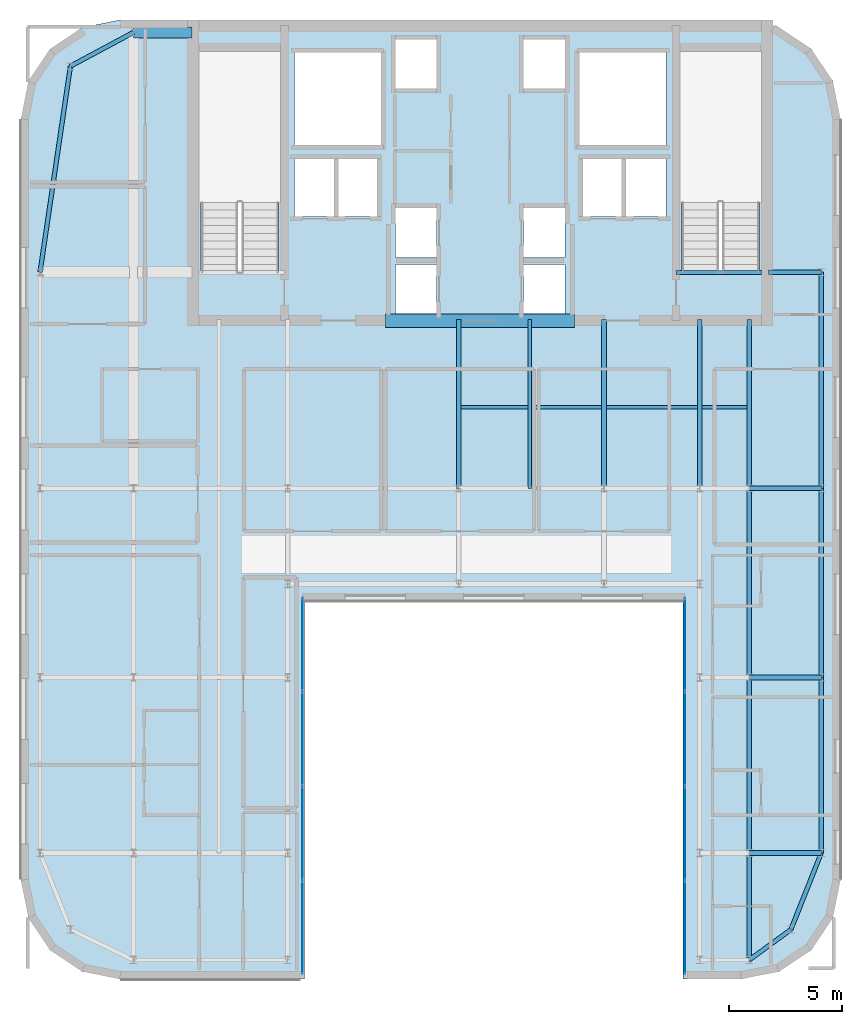
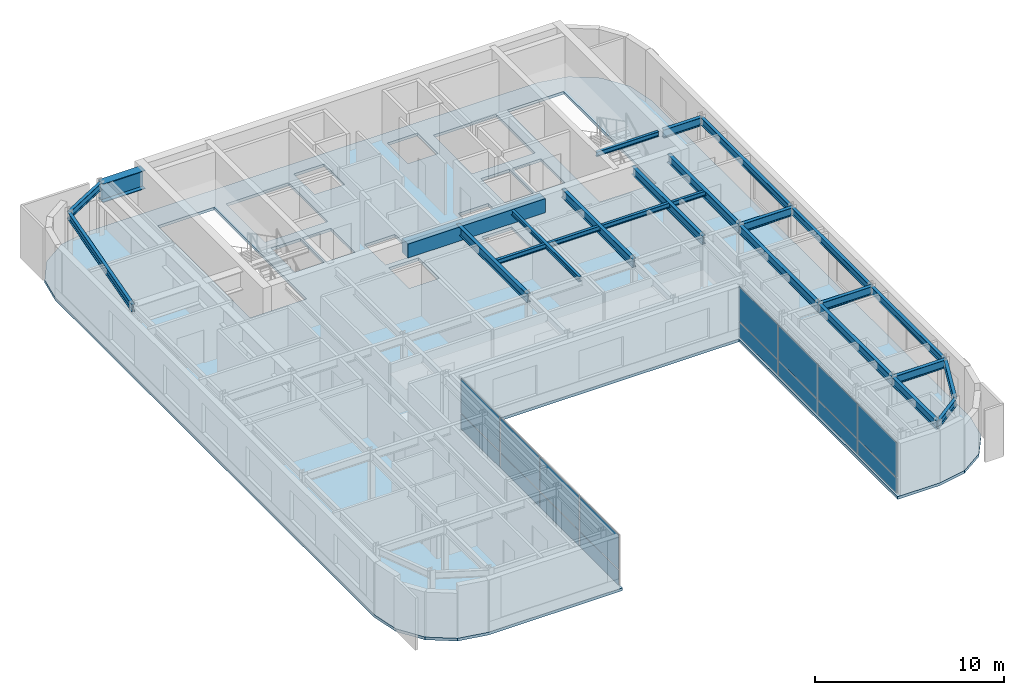
# One storey, part 12 of 21: 23 beams, 16 plates, 1 slab, 2 elements without a shape of their own.
"""IFC4 building model written with IfcOpenShell, lengths in metres."""

from ifc_helpers import new_model, si_unit, direction, frame, origin, origin_2d, place, context, subcontext, project, spatial, polyline, rectangle, i_section, outline, extrude, source, transform, mapped, material, layer, layer_set, material_profile, profile_set, type_object, type_shapes, element, aggregate, save


model = new_model("IFC4")

# Units and contexts
model_context = context("Model", 3, precision=1e-05, world=origin(), true_north=direction((0.0, 1.0)))
body_context = subcontext(model_context, "Body", "Model", "MODEL_VIEW")
ifc_project = project(units=[si_unit("LENGTHUNIT", "METRE"), si_unit("AREAUNIT", "SQUARE_METRE"), si_unit("VOLUMEUNIT", "CUBIC_METRE"), si_unit("PLANEANGLEUNIT", "RADIAN"), si_unit("MASSUNIT", "GRAM", prefix="KILO")], contexts=[model_context])

# Site, building, storey
site_placement = place(None, origin())
site = spatial("IfcSite", under=ifc_project, at=site_placement, CompositionType="ELEMENT")
building_placement = place(site_placement, origin())
building = spatial("IfcBuilding", under=site, at=building_placement, Name="Tolvann Quenvar Hotel", CompositionType="ELEMENT")
storey_placement = place(building_placement, frame((0.0, 0.0, 255.85009765625)))
storey = spatial("IfcBuildingStorey", under=building, at=storey_placement, Name="L68", CompositionType="ELEMENT", Elevation=255.85009765625)

# Beams
ifc_material_1 = material(Name="Concrete N50 (50 MPa)", Category="concrete")
ifc_material_profile_1 = material_profile(ifc_material_1, rectangle(XDim=0.60009765625, YDim=0.89990234375, at=origin_2d()), Name="RC600x900")
ifc_profile_set_1 = profile_set([ifc_material_profile_1], Name="Concrete N50 (50 MPa)")
beam_type_1 = type_object("IfcBeamType", Name="BM_LINT_RC600x900", PredefinedType="LINTEL", material=ifc_profile_set_1)
shared_shape_1 = source(origin(), body_context, "Body", "SweptSolid", [
    extrude(rectangle(XDim=0.60009765625, YDim=0.89990234375, at=origin_2d()), origin(), (0.0, 0.0, 1.0), 8.39990234375),
])
type_shapes(beam_type_1, [shared_shape_1])
beam_1_placement = place(storey_placement, frame((18.800048828125, 31.85009765625, 2.919921875), z_axis=(1.0, 0.0, 0.0), x_axis=(0.0, 1.0, 0.0)))
element("IfcBeam", 1, at=beam_1_placement, inside=storey, type_object=beam_type_1, Name="Core Coupling Lintel Beam (L68)", PredefinedType="LINTEL", context=body_context, shape_type="MappedRepresentation", body=[
    mapped(shared_shape_1, transform((0.0, 0.0, 0.0), x_axis=(1.0, 0.0, 0.0), y_axis=(0.0, 1.0, 0.0), z_axis=(0.0, 0.0, 1.0), scale=1.0)),
])
ifc_material_2 = material(Name="Steel Grade 350", Category="steel")
ifc_material_profile_2 = material_profile(ifc_material_2, i_section(OverallWidth=0.208984375, OverallDepth=0.532958984375, WebThickness=0.01025390625, FlangeThickness=0.015625, FilletRadius=0.013916015625, at=origin_2d()), Name="530UB92")
ifc_profile_set_2 = profile_set([ifc_material_profile_2], Name="Steel Grade 350")
beam_type_2 = type_object("IfcBeamType", Name="BM_GIRD_530UB92", PredefinedType="BEAM", material=ifc_profile_set_2)
shared_shape_2 = source(origin(), body_context, "Body", "SweptSolid", [
    extrude(i_section(OverallWidth=0.208984375, OverallDepth=0.532958984375, WebThickness=0.01025390625, FlangeThickness=0.015625, FilletRadius=0.013916015625, at=origin_2d()), origin(), (0.0, 0.0, 1.0), 7.800048828125),
])
beam_2_placement = place(storey_placement, frame((34.949951171875, 8.199951171875, 3.103515625), z_axis=(0.0, 1.0, 0.0), x_axis=(-1.0, 0.0, 0.0)))
element("IfcBeam", 2, at=beam_2_placement, inside=storey, type_object=beam_type_2, Name="BM-L68-NS-F3-F4", PredefinedType="BEAM", context=body_context, shape_type="MappedRepresentation", body=[
    mapped(shared_shape_2, transform((0.0, 0.0, 0.0), x_axis=(1.0, 0.0, 0.0), y_axis=(0.0, 1.0, 0.0), z_axis=(0.0, 0.0, 1.0), scale=1.0)),
])
shared_shape_3 = source(origin(), body_context, "Body", "SweptSolid", [
    extrude(i_section(OverallWidth=0.208984375, OverallDepth=0.532958984375, WebThickness=0.01025390625, FlangeThickness=0.015625, FilletRadius=0.013916015625, at=origin_2d()), origin(), (0.0, 0.0, 1.0), 8.39990234375),
])
beam_3_placement = place(storey_placement, frame((34.949951171875, 16.0, 3.103515625), z_axis=(0.0, 1.0, 0.0), x_axis=(-1.0, 0.0, 0.0)))
element("IfcBeam", 3, at=beam_3_placement, inside=storey, type_object=beam_type_2, Name="BM-L68-NS-F4-F5", PredefinedType="BEAM", context=body_context, shape_type="MappedRepresentation", body=[
    mapped(shared_shape_3, transform((0.0, 0.0, 0.0), x_axis=(1.0, 0.0, 0.0), y_axis=(0.0, 1.0, 0.0), z_axis=(0.0, 0.0, 1.0), scale=1.0)),
])
ifc_material_profile_3 = material_profile(ifc_material_2, i_section(OverallWidth=0.5, OverallDepth=1.199951171875, WebThickness=0.01611328125, FlangeThickness=0.0400390625, at=origin_2d()), Name="1200WB455")
ifc_profile_set_3 = profile_set([ifc_material_profile_3], Name="Steel Grade 350")
beam_type_3 = type_object("IfcBeamType", Name="BM_TG_1200WB455", PredefinedType="USERDEFINED", material=ifc_profile_set_3)
shared_shape_4 = source(origin(), body_context, "Body", "SweptSolid", [
    extrude(i_section(OverallWidth=0.5, OverallDepth=1.199951171875, WebThickness=0.01611328125, FlangeThickness=0.0400390625, at=origin_2d()), origin(), (0.0, 0.0, 1.0), 2.599853515625),
])
type_shapes(beam_type_3, [shared_shape_4])
beam_4_placement = place(storey_placement, frame((7.60009765625, 44.64990234375, 2.77001953125), z_axis=(1.0, 0.0, 0.0), x_axis=(0.0, 1.0, 0.0)))
element("IfcBeam", 4, at=beam_4_placement, inside=storey, type_object=beam_type_3, Name="BM-L68-CTW-CN", ObjectType="TRANSFER GIRDER", PredefinedType="USERDEFINED", context=body_context, shape_type="MappedRepresentation", body=[
    mapped(shared_shape_4, transform((0.0, 0.0, 0.0), x_axis=(1.0, 0.0, 0.0), y_axis=(0.0, 1.0, 0.0), z_axis=(0.0, 0.0, 1.0), scale=1.0)),
])
ifc_material_profile_4 = material_profile(ifc_material_2, i_section(OverallWidth=0.166015625, OverallDepth=0.306884765625, WebThickness=0.006591796875, FlangeThickness=0.01171875, FilletRadius=0.011474609375, at=origin_2d()), Name="310UB46")
ifc_profile_set_4 = profile_set([ifc_material_profile_4], Name="Steel Grade 350")
beam_type_4 = type_object("IfcBeamType", Name="BM_JOIST_310UB46", PredefinedType="JOIST", material=ifc_profile_set_4)
shared_shape_5 = source(origin(), body_context, "Body", "SweptSolid", [
    extrude(i_section(OverallWidth=0.166015625, OverallDepth=0.306884765625, WebThickness=0.006591796875, FlangeThickness=0.01171875, FilletRadius=0.011474609375, at=origin_2d()), origin(), (0.0, 0.0, 1.0), 3.800048828125),
])
beam_5_placement = place(storey_placement, frame((31.699951171875, 33.97998046875, 3.21630859375), z_axis=(1.0, 0.0, 0.0), x_axis=(0.0, 1.0, 0.0)))
element("IfcBeam", 5, at=beam_5_placement, inside=storey, type_object=beam_type_4, Name="BM-HDR-STC2-L69", PredefinedType="JOIST", context=body_context, shape_type="MappedRepresentation", body=[
    mapped(shared_shape_5, transform((0.0, 0.0, 0.0), x_axis=(1.0, 0.0, 0.0), y_axis=(0.0, 1.0, 0.0), z_axis=(0.0, 0.0, 1.0), scale=1.0)),
])
shared_shape_6 = source(origin(), body_context, "Body", "SweptSolid", [
    extrude(i_section(OverallWidth=0.208984375, OverallDepth=0.532958984375, WebThickness=0.01025390625, FlangeThickness=0.015625, FilletRadius=0.013916015625, at=origin_2d()), origin(), (0.0, 0.0, 1.0), 4.75),
])
beam_6_placement = place(storey_placement, frame((34.949951171875, 3.449951171875, 3.103515625), z_axis=(0.0, 1.0, 0.0), x_axis=(-1.0, 0.0, 0.0)))
element("IfcBeam", 6, at=beam_6_placement, inside=storey, type_object=beam_type_2, Name="BM-L68-NS-F2-F3", PredefinedType="BEAM", context=body_context, shape_type="MappedRepresentation", body=[
    mapped(shared_shape_6, transform((0.0, 0.0, 0.0), x_axis=(1.0, 0.0, 0.0), y_axis=(0.0, 1.0, 0.0), z_axis=(0.0, 0.0, 1.0), scale=1.0)),
])
ifc_material_profile_5 = material_profile(ifc_material_2, i_section(OverallWidth=0.19091796875, OverallDepth=0.4599609375, WebThickness=0.010009765625, FlangeThickness=0.01611328125, FilletRadius=0.011474609375, at=origin_2d()), Name="460UB82")
ifc_profile_set_5 = profile_set([ifc_material_profile_5], Name="Steel Grade 350")
beam_type_5 = type_object("IfcBeamType", Name="BM_SPAND_460UB82", PredefinedType="SPANDREL", material=ifc_profile_set_5)
shared_shape_7 = source(origin(), body_context, "Body", "SweptSolid", [
    extrude(i_section(OverallWidth=0.19091796875, OverallDepth=0.4599609375, WebThickness=0.010009765625, FlangeThickness=0.01611328125, FilletRadius=0.011474609375, at=origin_2d()), origin(), (0.0, 0.0, 1.0), 7.800048828125),
])
beam_7_placement = place(storey_placement, frame((38.14990234375, 8.199951171875, 3.139892578125), z_axis=(0.0, 1.0, 0.0), x_axis=(-1.0, 0.0, 0.0)))
element("IfcBeam", 7, at=beam_7_placement, inside=storey, type_object=beam_type_5, Name="BM-L68-NS-G3-G4", PredefinedType="SPANDREL", context=body_context, shape_type="MappedRepresentation", body=[
    mapped(shared_shape_7, transform((0.0, 0.0, 0.0), x_axis=(1.0, 0.0, 0.0), y_axis=(0.0, 1.0, 0.0), z_axis=(0.0, 0.0, 1.0), scale=1.0)),
])
shared_shape_8 = source(origin(), body_context, "Body", "SweptSolid", [
    extrude(i_section(OverallWidth=0.19091796875, OverallDepth=0.4599609375, WebThickness=0.010009765625, FlangeThickness=0.01611328125, FilletRadius=0.011474609375, at=origin_2d()), origin(), (0.0, 0.0, 1.0), 8.39990234375),
])
beam_8_placement = place(storey_placement, frame((38.14990234375, 16.0, 3.139892578125), z_axis=(0.0, 1.0, 0.0), x_axis=(-1.0, 0.0, 0.0)))
element("IfcBeam", 8, at=beam_8_placement, inside=storey, type_object=beam_type_5, Name="BM-L68-NS-G4-G5", PredefinedType="SPANDREL", context=body_context, shape_type="MappedRepresentation", body=[
    mapped(shared_shape_8, transform((0.0, 0.0, 0.0), x_axis=(1.0, 0.0, 0.0), y_axis=(0.0, 1.0, 0.0), z_axis=(0.0, 0.0, 1.0), scale=1.0)),
])
shared_shape_9 = source(origin(), body_context, "Body", "SweptSolid", [
    extrude(i_section(OverallWidth=0.19091796875, OverallDepth=0.4599609375, WebThickness=0.010009765625, FlangeThickness=0.01611328125, FilletRadius=0.011474609375, at=origin_2d()), origin(), (0.0, 0.0, 1.0), 3.657958984375),
])
beam_9_placement = place(storey_placement, frame((36.800048828125, 4.800048828125, 3.139892578125), z_axis=(0.369007513371, 0.929426411867, 0.0), x_axis=(-0.929426411867, 0.369007513371, 0.0)))
element("IfcBeam", 9, at=beam_9_placement, inside=storey, type_object=beam_type_5, Name="BM-L68-NS-G2-G3", PredefinedType="SPANDREL", context=body_context, shape_type="MappedRepresentation", body=[
    mapped(shared_shape_9, transform((0.0, 0.0, 0.0), x_axis=(1.0, 0.0, 0.0), y_axis=(0.0, 1.0, 0.0), z_axis=(0.0, 0.0, 1.0), scale=1.0)),
])
shared_shape_10 = source(origin(), body_context, "Body", "SweptSolid", [
    extrude(i_section(OverallWidth=0.19091796875, OverallDepth=0.4599609375, WebThickness=0.010009765625, FlangeThickness=0.01611328125, FilletRadius=0.011474609375, at=origin_2d()), origin(), (0.0, 0.0, 1.0), 9.60009765625),
])
beam_10_placement = place(storey_placement, frame((38.14990234375, 24.39990234375, 3.139892578125), z_axis=(0.0, 1.0, 0.0), x_axis=(-1.0, 0.0, 0.0)))
element("IfcBeam", 10, at=beam_10_placement, inside=storey, type_object=beam_type_5, Name="BM-L68-FLK-G1", PredefinedType="SPANDREL", context=body_context, shape_type="MappedRepresentation", body=[
    mapped(shared_shape_10, transform((0.0, 0.0, 0.0), x_axis=(1.0, 0.0, 0.0), y_axis=(0.0, 1.0, 0.0), z_axis=(0.0, 0.0, 1.0), scale=1.0)),
])
shared_shape_11 = source(origin(), body_context, "Body", "SweptSolid", [
    extrude(i_section(OverallWidth=0.19091796875, OverallDepth=0.4599609375, WebThickness=0.010009765625, FlangeThickness=0.01611328125, FilletRadius=0.011474609375, at=origin_2d()), origin(), (0.0, 0.0, 1.0), 9.2490234375),
])
beam_11_placement = place(storey_placement, frame((3.449951171875, 34.0, 3.139892578125), z_axis=(0.145972731602, 0.989288613918, 0.0), x_axis=(-0.989288613918, 0.145972731602, 0.0)))
element("IfcBeam", 11, at=beam_11_placement, inside=storey, type_object=beam_type_5, Name="BM-L68-FLK-W2", PredefinedType="SPANDREL", context=body_context, shape_type="MappedRepresentation", body=[
    mapped(shared_shape_11, transform((0.0, 0.0, 0.0), x_axis=(1.0, 0.0, 0.0), y_axis=(0.0, 1.0, 0.0), z_axis=(0.0, 0.0, 1.0), scale=1.0)),
])
shared_shape_12 = source(origin(), body_context, "Body", "SweptSolid", [
    extrude(i_section(OverallWidth=0.19091796875, OverallDepth=0.4599609375, WebThickness=0.010009765625, FlangeThickness=0.01611328125, FilletRadius=0.011474609375, at=origin_2d()), origin(), (0.0, 0.0, 1.0), 3.176513671875),
])
beam_12_placement = place(storey_placement, frame((4.800048828125, 43.14990234375, 3.139892578125), z_axis=(0.881483397762, 0.472215014025, 0.0), x_axis=(-0.472215014025, 0.881483397762, 0.0)))
element("IfcBeam", 12, at=beam_12_placement, inside=storey, type_object=beam_type_5, Name="BM-L68-FLK-W3", PredefinedType="SPANDREL", context=body_context, shape_type="MappedRepresentation", body=[
    mapped(shared_shape_12, transform((0.0, 0.0, 0.0), x_axis=(1.0, 0.0, 0.0), y_axis=(0.0, 1.0, 0.0), z_axis=(0.0, 0.0, 1.0), scale=1.0)),
])
shared_shape_13 = source(origin(), body_context, "Body", "SweptSolid", [
    extrude(i_section(OverallWidth=0.166015625, OverallDepth=0.306884765625, WebThickness=0.006591796875, FlangeThickness=0.01171875, FilletRadius=0.011474609375, at=origin_2d()), origin(), (0.0, 0.0, 1.0), 12.89990234375),
])
beam_13_placement = place(storey_placement, frame((22.050048828125, 28.0, 3.21630859375), z_axis=(1.0, 0.0, 0.0), x_axis=(0.0, 1.0, 0.0)))
element("IfcBeam", 13, at=beam_13_placement, inside=storey, type_object=beam_type_4, Name="BM-L68-SPINE-28", PredefinedType="JOIST", context=body_context, shape_type="MappedRepresentation", body=[
    mapped(shared_shape_13, transform((0.0, 0.0, 0.0), x_axis=(1.0, 0.0, 0.0), y_axis=(0.0, 1.0, 0.0), z_axis=(0.0, 0.0, 1.0), scale=1.0)),
])
shared_shape_14 = source(origin(), body_context, "Body", "SweptSolid", [
    extrude(i_section(OverallWidth=0.166015625, OverallDepth=0.306884765625, WebThickness=0.006591796875, FlangeThickness=0.01171875, FilletRadius=0.011474609375, at=origin_2d()), origin(), (0.0, 0.0, 1.0), 7.5),
])
type_shapes(beam_type_4, [shared_shape_5, shared_shape_13, shared_shape_14])
beam_14_placement = place(storey_placement, frame((25.199951171875, 24.39990234375, 3.21630859375), z_axis=(0.0, 1.0, 0.0), x_axis=(-1.0, 0.0, 0.0)))
element("IfcBeam", 14, at=beam_14_placement, inside=storey, type_object=beam_type_4, Name="BJ-L68-252-244", PredefinedType="JOIST", context=body_context, shape_type="MappedRepresentation", body=[
    mapped(shared_shape_14, transform((0.0, 0.0, 0.0), x_axis=(1.0, 0.0, 0.0), y_axis=(0.0, 1.0, 0.0), z_axis=(0.0, 0.0, 1.0), scale=1.0)),
])
shared_shape_15 = source(origin(), body_context, "Body", "SweptSolid", [
    extrude(i_section(OverallWidth=0.19091796875, OverallDepth=0.4599609375, WebThickness=0.010009765625, FlangeThickness=0.01611328125, FilletRadius=0.011474609375, at=origin_2d()), origin(), (0.0, 0.0, 1.0), 2.290283203125),
])
type_shapes(beam_type_5, [shared_shape_7, shared_shape_8, shared_shape_9, shared_shape_10, shared_shape_11, shared_shape_12, shared_shape_15])
beam_15_placement = place(storey_placement, frame((34.949951171875, 3.449951171875, 3.139892578125), z_axis=(0.807785460512, 0.589476589684, 0.0), x_axis=(-0.589476589684, 0.807785460512, 0.0)))
element("IfcBeam", 15, at=beam_15_placement, inside=storey, type_object=beam_type_5, Name="BM-L68-EW-2-F2-G2", PredefinedType="SPANDREL", context=body_context, shape_type="MappedRepresentation", body=[
    mapped(shared_shape_15, transform((0.0, 0.0, 0.0), x_axis=(1.0, 0.0, 0.0), y_axis=(0.0, 1.0, 0.0), z_axis=(0.0, 0.0, 1.0), scale=1.0)),
])
shared_shape_16 = source(origin(), body_context, "Body", "SweptSolid", [
    extrude(i_section(OverallWidth=0.208984375, OverallDepth=0.532958984375, WebThickness=0.01025390625, FlangeThickness=0.015625, FilletRadius=0.013916015625, at=origin_2d()), origin(), (0.0, 0.0, 1.0), 3.199951171875),
])
for number, where, z_axis, x_axis, name in (
    (16, (34.949951171875, 8.199951171875, 3.103515625), (1.0, 0.0, 0.0), (0.0, 1.0, 0.0), "BM-L68-EW-3-F3-G3"),
    (17, (34.949951171875, 16.0, 3.103515625), (1.0, 0.0, 0.0), (0.0, 1.0, 0.0), "BM-L68-EW-4-F4-G4"),
    (18, (34.949951171875, 24.39990234375, 3.103515625), (1.0, 0.0, 0.0), (0.0, 1.0, 0.0), "BM-L68-EW-5-F5-G5"),
):
    element("IfcBeam", number, at=place(storey_placement, frame(where, z_axis=z_axis, x_axis=x_axis)), inside=storey, type_object=beam_type_2, Name=name, PredefinedType="BEAM", context=body_context, shape_type="MappedRepresentation", body=[
        mapped(shared_shape_16, transform((0.0, 0.0, 0.0), x_axis=(1.0, 0.0, 0.0), y_axis=(0.0, 1.0, 0.0), z_axis=(0.0, 0.0, 1.0), scale=1.0)),
    ])
shared_shape_17 = source(origin(), body_context, "Body", "SweptSolid", [
    extrude(i_section(OverallWidth=0.208984375, OverallDepth=0.532958984375, WebThickness=0.01025390625, FlangeThickness=0.015625, FilletRadius=0.013916015625, at=origin_2d()), origin(), (0.0, 0.0, 1.0), 7.5),
])
for number, where, z_axis, x_axis, name in (
    (19, (22.050048828125, 24.39990234375, 3.103515625), (0.0, 1.0, 0.0), (-1.0, 0.0, 0.0), "BM-L68-CORE-E5"),
    (20, (34.949951171875, 24.39990234375, 3.103515625), (0.0, 1.0, 0.0), (-1.0, 0.0, 0.0), "BM-L68-CORE-F5"),
    (21, (32.75, 24.39990234375, 3.103515625), (0.0, 1.0, 0.0), (-1.0, 0.0, 0.0), "BM-L68-CORE-FP5"),
    (22, (28.5, 24.39990234375, 3.103515625), (0.0, 1.0, 0.0), (-1.0, 0.0, 0.0), "BM-L68-CORE-M5"),
):
    element("IfcBeam", number, at=place(storey_placement, frame(where, z_axis=z_axis, x_axis=x_axis)), inside=storey, type_object=beam_type_2, Name=name, PredefinedType="BEAM", context=body_context, shape_type="MappedRepresentation", body=[
        mapped(shared_shape_17, transform((0.0, 0.0, 0.0), x_axis=(1.0, 0.0, 0.0), y_axis=(0.0, 1.0, 0.0), z_axis=(0.0, 0.0, 1.0), scale=1.0)),
    ])
shared_shape_18 = source(origin(), body_context, "Body", "SweptSolid", [
    extrude(i_section(OverallWidth=0.208984375, OverallDepth=0.532958984375, WebThickness=0.01025390625, FlangeThickness=0.015625, FilletRadius=0.013916015625, at=origin_2d()), origin(), (0.0, 0.0, 1.0), 2.349853515625),
])
type_shapes(beam_type_2, [shared_shape_2, shared_shape_3, shared_shape_6, shared_shape_16, shared_shape_17, shared_shape_18])
beam_16_placement = place(storey_placement, frame((35.800048828125, 34.0, 3.103515625), z_axis=(1.0, 0.0, 0.0), x_axis=(0.0, 1.0, 0.0)))
element("IfcBeam", 23, at=beam_16_placement, inside=storey, type_object=beam_type_2, Name="BM-L68-CTE-GD6", PredefinedType="BEAM", context=body_context, shape_type="MappedRepresentation", body=[
    mapped(shared_shape_18, transform((0.0, 0.0, 0.0), x_axis=(1.0, 0.0, 0.0), y_axis=(0.0, 1.0, 0.0), z_axis=(0.0, 0.0, 1.0), scale=1.0)),
])

# Slab
ifc_material_3 = material(Name="Concrete N40 (40 MPa)", Category="concrete")
ifc_layer_1 = layer(ifc_material_3, 0.179931640625)
ifc_layer_set_1 = layer_set([ifc_layer_1], Name="Concrete N40 (40 MPa)")
slab_type = type_object("IfcSlabType", Name="SLAB_TWR_180", PredefinedType="FLOOR", material=ifc_layer_set_1)
slab_placement = place(storey_placement, frame((0.0, 0.0, -0.18017578125)))
element("IfcSlab", 24, at=slab_placement, inside=storey, type_object=slab_type, Name="Level L68 Structural Floor Slab", PredefinedType="FLOOR", context=body_context, shape_type="SweptSolid", body=[
    extrude(outline(polyline([(2.60009765625, 7.0), (2.934814453125, 5.316162109375), (3.888671875, 3.888671875), (5.316162109375, 2.934814453125), (7.0, 2.60009765625), (15.199951171875, 2.60009765625), (15.199951171875, 19.39990234375), (32.0, 19.39990234375), (32.0, 2.60009765625), (34.60009765625, 2.60009765625), (36.28369140625, 2.934814453125), (37.711181640625, 3.888671875), (38.6650390625, 5.316162109375), (39.0, 7.0), (39.0, 40.800048828125), (38.6650390625, 42.48388671875), (37.711181640625, 43.911376953125), (36.28369140625, 44.864990234375), (34.60009765625, 45.199951171875), (7.0, 45.199951171875), (5.316162109375, 44.864990234375), (3.888671875, 43.911376953125), (2.934814453125, 42.48388671875), (2.60009765625, 40.800048828125), (2.60009765625, 7.0)]), holes=[polyline([(31.949951171875, 34.02490234375), (31.949951171875, 43.800048828125), (35.39990234375, 43.800048828125), (35.39990234375, 34.02490234375), (31.949951171875, 34.02490234375)]), polyline([(27.39990234375, 43.75), (31.25, 43.75), (31.25, 39.64990234375), (27.39990234375, 39.64990234375), (27.39990234375, 43.75)]), polyline([(29.449951171875, 39.02001953125), (31.25, 39.02001953125), (31.25, 36.47998046875), (29.449951171875, 36.47998046875), (29.449951171875, 39.02001953125)]), polyline([(27.574951171875, 39.02001953125), (29.324951171875, 39.02001953125), (29.324951171875, 36.47998046875), (27.574951171875, 36.47998046875), (27.574951171875, 39.02001953125)]), polyline([(24.929931640625, 36.840087890625), (26.77001953125, 36.840087890625), (26.77001953125, 34.659912109375), (24.929931640625, 34.659912109375), (24.929931640625, 36.840087890625)]), polyline([(24.929931640625, 44.340087890625), (26.77001953125, 44.340087890625), (26.77001953125, 42.159912109375), (24.929931640625, 42.159912109375), (24.929931640625, 44.340087890625)]), polyline([(24.929931640625, 32.159912109375), (24.929931640625, 34.340087890625), (26.77001953125, 34.340087890625), (26.77001953125, 32.159912109375), (24.929931640625, 32.159912109375)]), polyline([(19.22998046875, 36.840087890625), (21.070068359375, 36.840087890625), (21.070068359375, 34.659912109375), (19.22998046875, 34.659912109375), (19.22998046875, 36.840087890625)]), polyline([(19.22998046875, 44.340087890625), (21.070068359375, 44.340087890625), (21.070068359375, 42.159912109375), (19.22998046875, 42.159912109375), (19.22998046875, 44.340087890625)]), polyline([(19.22998046875, 32.159912109375), (19.22998046875, 34.340087890625), (21.070068359375, 34.340087890625), (21.070068359375, 32.159912109375), (19.22998046875, 32.159912109375)]), polyline([(14.75, 43.75), (18.60009765625, 43.75), (18.60009765625, 39.64990234375), (14.75, 39.64990234375), (14.75, 43.75)]), polyline([(16.675048828125, 39.02001953125), (18.425048828125, 39.02001953125), (18.425048828125, 36.47998046875), (16.675048828125, 36.47998046875), (16.675048828125, 39.02001953125)]), polyline([(14.75, 39.02001953125), (16.550048828125, 39.02001953125), (16.550048828125, 36.47998046875), (14.75, 36.47998046875), (14.75, 39.02001953125)]), polyline([(10.60009765625, 34.02490234375), (10.60009765625, 43.800048828125), (14.050048828125, 43.800048828125), (14.050048828125, 34.02490234375), (10.60009765625, 34.02490234375)])]), origin(), (0.0, 0.0, 1.0), 0.18017578125),
])

# Curtain wall, plates
ifc_material_4 = material(Name="Thermally broken anodised architectural aluminium 6063-T6 and laminated low-E glass", Category="aluminium")
ifc_layer_2 = layer(ifc_material_4, 0.179931640625)
ifc_layer_set_2 = layer_set([ifc_layer_2], Name="Thermally broken anodised architectural aluminium 6063-T6 and laminated low-E glass")
curtain_wall_type = type_object("IfcCurtainWallType", Name="CW_SYS_PORTAL_05", PredefinedType="USERDEFINED", material=ifc_layer_set_2)
curtain_wall_1_placement = place(storey_placement, origin())
curtain_wall_1 = element("IfcCurtainWall", 25, at=curtain_wall_1_placement, inside=storey, type_object=curtain_wall_type, Name="Curtain Wall CW-PORTAL-05 (CWR-L68-E05)", ObjectType="UNITISED CURTAIN WALL", PredefinedType="USERDEFINED")
ifc_material_5 = material(Name="Low-iron laminated double glazing with solar-control coating", Category="glass")
ifc_layer_3 = layer(ifc_material_5, 0.028076171875)
ifc_layer_set_3 = layer_set([ifc_layer_3], Name="Low-iron laminated double glazing with solar-control coating")
plate_type = type_object("IfcPlateType", Name="CW_PAN_VISION_28", PredefinedType="CURTAIN_PANEL", material=ifc_layer_set_3)
shared_shape_19 = source(origin(), body_context, "Body", "SweptSolid", [
    extrude(rectangle(XDim=4.094970703125, YDim=0.028076171875, at=origin_2d()), origin(), (0.0, 0.0, 1.0), 0.9599609375),
])
plate_1_placement = place(storey_placement, frame((15.110107421875, 4.892578125, 0.059814453125), z_axis=(0.0, 0.0, 1.0), x_axis=(0.0, 1.0, 0.0)))
plate_1 = element("IfcPlate", 26, at=plate_1_placement, type_object=plate_type, Name="CW-PORTAL-05 panel 1.1", PredefinedType="CURTAIN_PANEL", context=body_context, shape_type="MappedRepresentation", body=[
    mapped(shared_shape_19, transform((0.0, 0.0, 0.0), x_axis=(1.0, 0.0, 0.0), y_axis=(0.0, 1.0, 0.0), z_axis=(0.0, 0.0, 1.0), scale=1.0)),
])
plate_2_placement = place(storey_placement, frame((15.110107421875, 17.45751953125, 0.059814453125), z_axis=(0.0, 0.0, 1.0), x_axis=(0.0, 1.0, 0.0)))
plate_2 = element("IfcPlate", 27, at=plate_2_placement, type_object=plate_type, Name="CW-PORTAL-05 panel 4.1", PredefinedType="CURTAIN_PANEL", context=body_context, shape_type="MappedRepresentation", body=[
    mapped(shared_shape_19, transform((0.0, 0.0, 0.0), x_axis=(1.0, 0.0, 0.0), y_axis=(0.0, 1.0, 0.0), z_axis=(0.0, 0.0, 1.0), scale=1.0)),
])

curtain_wall_2_placement = place(storey_placement, origin())
curtain_wall_2 = element("IfcCurtainWall", 28, at=curtain_wall_2_placement, inside=storey, type_object=curtain_wall_type, Name="Curtain Wall CW-PORTAL-05 (CWR-L68-E07)", ObjectType="UNITISED CURTAIN WALL", PredefinedType="USERDEFINED")
plate_3_placement = place(storey_placement, frame((32.090087890625, 17.45751953125, 0.059814453125), z_axis=(0.0, 0.0, 1.0), x_axis=(0.0, -1.0, 0.0)))
plate_3 = element("IfcPlate", 29, at=plate_3_placement, type_object=plate_type, Name="CW-PORTAL-05 panel 1.1", PredefinedType="CURTAIN_PANEL", context=body_context, shape_type="MappedRepresentation", body=[
    mapped(shared_shape_19, transform((0.0, 0.0, 0.0), x_axis=(1.0, 0.0, 0.0), y_axis=(0.0, 1.0, 0.0), z_axis=(0.0, 0.0, 1.0), scale=1.0)),
])
plate_4_placement = place(storey_placement, frame((32.090087890625, 4.892578125, 0.059814453125), z_axis=(0.0, 0.0, 1.0), x_axis=(0.0, -1.0, 0.0)))
plate_4 = element("IfcPlate", 30, at=plate_4_placement, type_object=plate_type, Name="CW-PORTAL-05 panel 4.1", PredefinedType="CURTAIN_PANEL", context=body_context, shape_type="MappedRepresentation", body=[
    mapped(shared_shape_19, transform((0.0, 0.0, 0.0), x_axis=(1.0, 0.0, 0.0), y_axis=(0.0, 1.0, 0.0), z_axis=(0.0, 0.0, 1.0), scale=1.0)),
])

# Plate
shared_shape_20 = source(origin(), body_context, "Body", "SweptSolid", [
    extrude(rectangle(XDim=4.094970703125, YDim=0.028076171875, at=origin_2d()), origin(), (0.0, 0.0, 1.0), 2.22998046875),
])
plate_5_placement = place(storey_placement, frame((15.110107421875, 4.892578125, 1.079833984375), z_axis=(0.0, 0.0, 1.0), x_axis=(0.0, 1.0, 0.0)))
plate_5 = element("IfcPlate", 31, at=plate_5_placement, type_object=plate_type, Name="CW-PORTAL-05 panel 1.2", PredefinedType="CURTAIN_PANEL", context=body_context, shape_type="MappedRepresentation", body=[
    mapped(shared_shape_20, transform((0.0, 0.0, 0.0), x_axis=(1.0, 0.0, 0.0), y_axis=(0.0, 1.0, 0.0), z_axis=(0.0, 0.0, 1.0), scale=1.0)),
])

plate_6_placement = place(storey_placement, frame((15.110107421875, 17.45751953125, 1.079833984375), z_axis=(0.0, 0.0, 1.0), x_axis=(0.0, 1.0, 0.0)))
plate_6 = element("IfcPlate", 32, at=plate_6_placement, type_object=plate_type, Name="CW-PORTAL-05 panel 4.2", PredefinedType="CURTAIN_PANEL", context=body_context, shape_type="MappedRepresentation", body=[
    mapped(shared_shape_20, transform((0.0, 0.0, 0.0), x_axis=(1.0, 0.0, 0.0), y_axis=(0.0, 1.0, 0.0), z_axis=(0.0, 0.0, 1.0), scale=1.0)),
])

plate_7_placement = place(storey_placement, frame((32.090087890625, 17.45751953125, 1.079833984375), z_axis=(0.0, 0.0, 1.0), x_axis=(0.0, -1.0, 0.0)))
plate_7 = element("IfcPlate", 33, at=plate_7_placement, type_object=plate_type, Name="CW-PORTAL-05 panel 1.2", PredefinedType="CURTAIN_PANEL", context=body_context, shape_type="MappedRepresentation", body=[
    mapped(shared_shape_20, transform((0.0, 0.0, 0.0), x_axis=(1.0, 0.0, 0.0), y_axis=(0.0, 1.0, 0.0), z_axis=(0.0, 0.0, 1.0), scale=1.0)),
])

plate_8_placement = place(storey_placement, frame((32.090087890625, 4.892578125, 1.079833984375), z_axis=(0.0, 0.0, 1.0), x_axis=(0.0, -1.0, 0.0)))
plate_8 = element("IfcPlate", 34, at=plate_8_placement, type_object=plate_type, Name="CW-PORTAL-05 panel 4.2", PredefinedType="CURTAIN_PANEL", context=body_context, shape_type="MappedRepresentation", body=[
    mapped(shared_shape_20, transform((0.0, 0.0, 0.0), x_axis=(1.0, 0.0, 0.0), y_axis=(0.0, 1.0, 0.0), z_axis=(0.0, 0.0, 1.0), scale=1.0)),
])

shared_shape_21 = source(origin(), body_context, "Body", "SweptSolid", [
    extrude(rectangle(XDim=4.1298828125, YDim=0.028076171875, at=origin_2d()), origin(), (0.0, 0.0, 1.0), 0.9599609375),
])
plate_9_placement = place(storey_placement, frame((15.110107421875, 9.074951171875, 0.059814453125), z_axis=(0.0, 0.0, 1.0), x_axis=(0.0, 1.0, 0.0)))
plate_9 = element("IfcPlate", 35, at=plate_9_placement, type_object=plate_type, Name="CW-PORTAL-05 panel 2.1", PredefinedType="CURTAIN_PANEL", context=body_context, shape_type="MappedRepresentation", body=[
    mapped(shared_shape_21, transform((0.0, 0.0, 0.0), x_axis=(1.0, 0.0, 0.0), y_axis=(0.0, 1.0, 0.0), z_axis=(0.0, 0.0, 1.0), scale=1.0)),
])

plate_10_placement = place(storey_placement, frame((15.110107421875, 13.27490234375, 0.059814453125), z_axis=(0.0, 0.0, 1.0), x_axis=(0.0, 1.0, 0.0)))
plate_10 = element("IfcPlate", 36, at=plate_10_placement, type_object=plate_type, Name="CW-PORTAL-05 panel 3.1", PredefinedType="CURTAIN_PANEL", context=body_context, shape_type="MappedRepresentation", body=[
    mapped(shared_shape_21, transform((0.0, 0.0, 0.0), x_axis=(1.0, 0.0, 0.0), y_axis=(0.0, 1.0, 0.0), z_axis=(0.0, 0.0, 1.0), scale=1.0)),
])

plate_11_placement = place(storey_placement, frame((32.090087890625, 13.27490234375, 0.059814453125), z_axis=(0.0, 0.0, 1.0), x_axis=(0.0, -1.0, 0.0)))
plate_11 = element("IfcPlate", 37, at=plate_11_placement, type_object=plate_type, Name="CW-PORTAL-05 panel 2.1", PredefinedType="CURTAIN_PANEL", context=body_context, shape_type="MappedRepresentation", body=[
    mapped(shared_shape_21, transform((0.0, 0.0, 0.0), x_axis=(1.0, 0.0, 0.0), y_axis=(0.0, 1.0, 0.0), z_axis=(0.0, 0.0, 1.0), scale=1.0)),
])

plate_12_placement = place(storey_placement, frame((32.090087890625, 9.074951171875, 0.059814453125), z_axis=(0.0, 0.0, 1.0), x_axis=(0.0, -1.0, 0.0)))
plate_12 = element("IfcPlate", 38, at=plate_12_placement, type_object=plate_type, Name="CW-PORTAL-05 panel 3.1", PredefinedType="CURTAIN_PANEL", context=body_context, shape_type="MappedRepresentation", body=[
    mapped(shared_shape_21, transform((0.0, 0.0, 0.0), x_axis=(1.0, 0.0, 0.0), y_axis=(0.0, 1.0, 0.0), z_axis=(0.0, 0.0, 1.0), scale=1.0)),
])

shared_shape_22 = source(origin(), body_context, "Body", "SweptSolid", [
    extrude(rectangle(XDim=4.1298828125, YDim=0.028076171875, at=origin_2d()), origin(), (0.0, 0.0, 1.0), 2.22998046875),
])
type_shapes(plate_type, [shared_shape_19, shared_shape_20, shared_shape_21, shared_shape_22])
plate_13_placement = place(storey_placement, frame((15.110107421875, 9.074951171875, 1.079833984375), z_axis=(0.0, 0.0, 1.0), x_axis=(0.0, 1.0, 0.0)))
plate_13 = element("IfcPlate", 39, at=plate_13_placement, type_object=plate_type, Name="CW-PORTAL-05 panel 2.2", PredefinedType="CURTAIN_PANEL", context=body_context, shape_type="MappedRepresentation", body=[
    mapped(shared_shape_22, transform((0.0, 0.0, 0.0), x_axis=(1.0, 0.0, 0.0), y_axis=(0.0, 1.0, 0.0), z_axis=(0.0, 0.0, 1.0), scale=1.0)),
])

plate_14_placement = place(storey_placement, frame((15.110107421875, 13.27490234375, 1.079833984375), z_axis=(0.0, 0.0, 1.0), x_axis=(0.0, 1.0, 0.0)))
plate_14 = element("IfcPlate", 40, at=plate_14_placement, type_object=plate_type, Name="CW-PORTAL-05 panel 3.2", PredefinedType="CURTAIN_PANEL", context=body_context, shape_type="MappedRepresentation", body=[
    mapped(shared_shape_22, transform((0.0, 0.0, 0.0), x_axis=(1.0, 0.0, 0.0), y_axis=(0.0, 1.0, 0.0), z_axis=(0.0, 0.0, 1.0), scale=1.0)),
])

aggregate(curtain_wall_1, [plate_1, plate_5, plate_9, plate_13, plate_10, plate_14, plate_2, plate_6])

plate_15_placement = place(storey_placement, frame((32.090087890625, 13.27490234375, 1.079833984375), z_axis=(0.0, 0.0, 1.0), x_axis=(0.0, -1.0, 0.0)))
plate_15 = element("IfcPlate", 41, at=plate_15_placement, type_object=plate_type, Name="CW-PORTAL-05 panel 2.2", PredefinedType="CURTAIN_PANEL", context=body_context, shape_type="MappedRepresentation", body=[
    mapped(shared_shape_22, transform((0.0, 0.0, 0.0), x_axis=(1.0, 0.0, 0.0), y_axis=(0.0, 1.0, 0.0), z_axis=(0.0, 0.0, 1.0), scale=1.0)),
])

plate_16_placement = place(storey_placement, frame((32.090087890625, 9.074951171875, 1.079833984375), z_axis=(0.0, 0.0, 1.0), x_axis=(0.0, -1.0, 0.0)))
plate_16 = element("IfcPlate", 42, at=plate_16_placement, type_object=plate_type, Name="CW-PORTAL-05 panel 3.2", PredefinedType="CURTAIN_PANEL", context=body_context, shape_type="MappedRepresentation", body=[
    mapped(shared_shape_22, transform((0.0, 0.0, 0.0), x_axis=(1.0, 0.0, 0.0), y_axis=(0.0, 1.0, 0.0), z_axis=(0.0, 0.0, 1.0), scale=1.0)),
])

aggregate(curtain_wall_2, [plate_3, plate_7, plate_11, plate_15, plate_12, plate_16, plate_4, plate_8])

save(model, "model.ifc")
